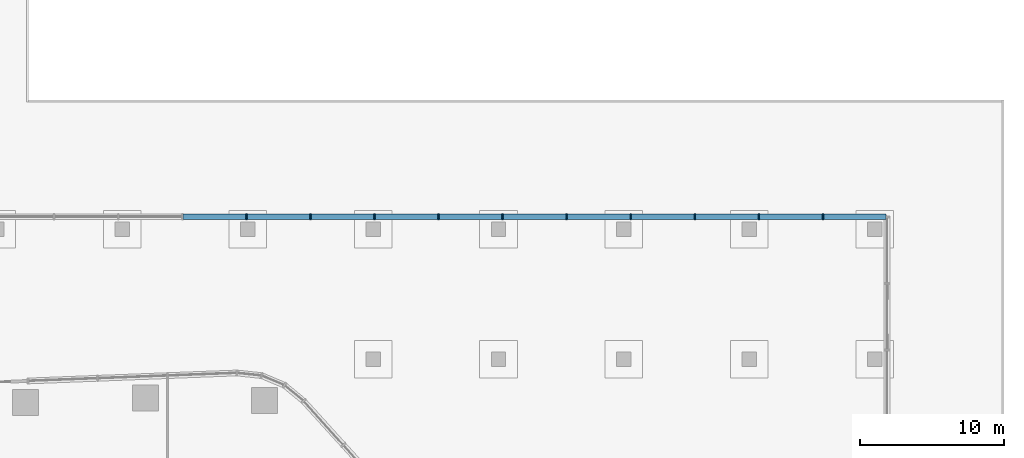
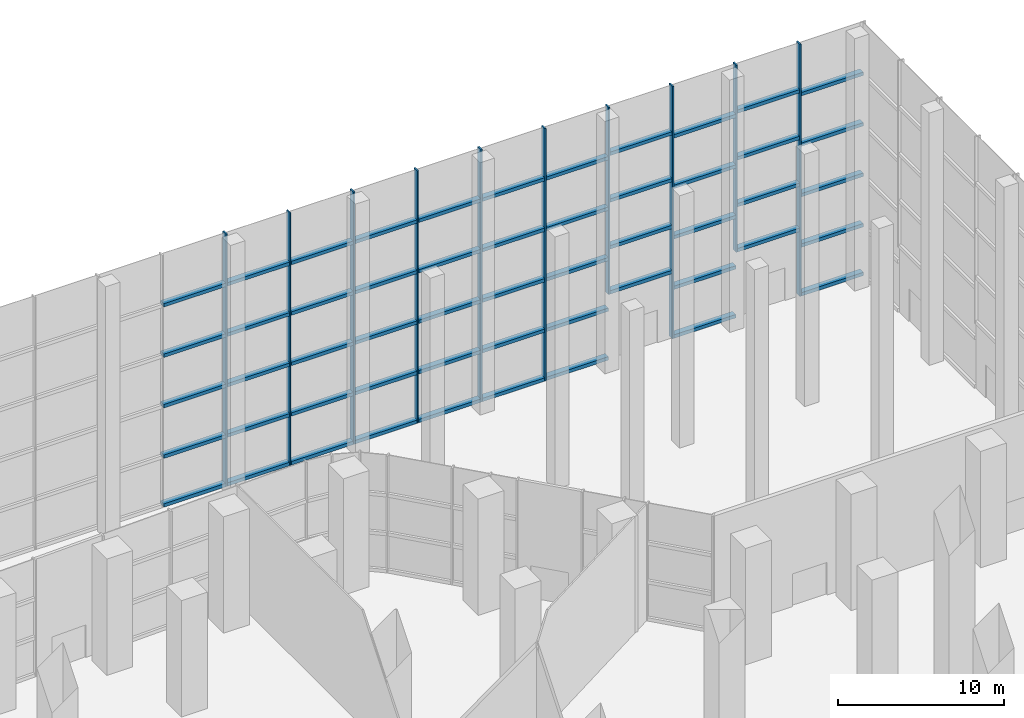
# One storey, part 18 of 40: 63 members, 5 elements without a shape of their own.
"""IFC4 building model written with IfcOpenShell, lengths in metres."""

from ifc_helpers import new_model, si_unit, direction, frame, origin, origin_2d, place, context, subcontext, project, spatial, rectangle, extrude, material, layer, layer_set, material_profile, profile_set, type_object, element, aggregate, save


model = new_model("IFC4")

# Units and contexts
model_context = context("Model", 3, precision=1e-05, world=origin(), true_north=direction((0.0, 1.0)))
body_context = subcontext(model_context, "Body", "Model", "MODEL_VIEW")
ifc_project = project(units=[si_unit("LENGTHUNIT", "METRE"), si_unit("AREAUNIT", "SQUARE_METRE"), si_unit("VOLUMEUNIT", "CUBIC_METRE"), si_unit("PLANEANGLEUNIT", "RADIAN"), si_unit("MASSUNIT", "GRAM", prefix="KILO")], contexts=[model_context])

# Site, building, storey
site_placement = place(None, origin())
site = spatial("IfcSite", under=ifc_project, at=site_placement, CompositionType="ELEMENT")
building_placement = place(site_placement, origin())
building = spatial("IfcBuilding", under=site, at=building_placement, Name="Dongbaek Canopy Tower", CompositionType="ELEMENT")
storey_placement = place(building_placement, origin())
storey = spatial("IfcBuildingStorey", under=building, at=storey_placement, Name="L00", CompositionType="ELEMENT", Elevation=0.0)

# Curtain wall, member
ifc_material_1 = material(Name="Aluminium 6063-T6 pale anodised", Category="aluminium")
ifc_layer = layer(ifc_material_1, 0.39990234375)
ifc_layer_set = layer_set([ifc_layer], Name="CW-3 lobby double-height curtain wall")
curtain_wall_type = type_object("IfcCurtainWallType", Name="CW-3 lobby double-height curtain wall", PredefinedType="NOTDEFINED", material=ifc_layer_set)
curtain_wall_1_placement = place(storey_placement, origin())
curtain_wall_1 = element("IfcCurtainWall", 1, at=curtain_wall_1_placement, inside=storey, type_object=curtain_wall_type, Name="CW-3 curtain wall HNN.1", PredefinedType="NOTDEFINED")
ifc_material_2 = material(Name="Aluminium 6063-T6 pale anodised", Category="aluminium")
ifc_material_profile_1 = material_profile(ifc_material_2, rectangle(XDim=0.39990234375, YDim=0.10009765625, at=origin_2d()), Name="CW-3 mullion 100 x 400")
ifc_profile_set_1 = profile_set([ifc_material_profile_1], Name="Aluminium 6063-T6 pale anodised")
member_type_1 = type_object("IfcMemberType", Name="CW-3 mullion 100 x 400", PredefinedType="MULLION", material=ifc_profile_set_1)
member_1_placement = place(storey_placement, frame((53.466552734375, 45.89990234375, 0.0), z_axis=(0.0, 0.0, 1.0), x_axis=(0.0, 1.0, 0.0)))
member_1 = element("IfcMember", 2, at=member_1_placement, type_object=member_type_1, Name="CW-3 mullion HNN.1.2", PredefinedType="MULLION", context=body_context, shape_type="SweptSolid", body=[
    extrude(rectangle(XDim=0.39990234375, YDim=0.10009765625, at=origin_2d()), origin(), (0.0, 0.0, 1.0), 18.550048828125),
])

curtain_wall_2_placement = place(storey_placement, origin())
curtain_wall_2 = element("IfcCurtainWall", 3, at=curtain_wall_2_placement, inside=storey, type_object=curtain_wall_type, Name="CW-3 curtain wall HNN.2U", PredefinedType="NOTDEFINED")
member_2_placement = place(storey_placement, frame((49.033447265625, 45.89990234375, 4.800048828125), z_axis=(0.0, 0.0, 1.0), x_axis=(0.0, 1.0, 0.0)))
member_2 = element("IfcMember", 4, at=member_2_placement, type_object=member_type_1, Name="CW-3 mullion HNN.2U.2", PredefinedType="MULLION", context=body_context, shape_type="SweptSolid", body=[
    extrude(rectangle(XDim=0.39990234375, YDim=0.10009765625, at=origin_2d()), origin(), (0.0, 0.0, 1.0), 13.75),
])

curtain_wall_3_placement = place(storey_placement, origin())
curtain_wall_3 = element("IfcCurtainWall", 5, at=curtain_wall_3_placement, inside=storey, type_object=curtain_wall_type, Name="CW-3 curtain wall HNN.2", PredefinedType="NOTDEFINED")
member_3_placement = place(storey_placement, frame((44.60009765625, 45.89990234375, 0.0), z_axis=(0.0, 0.0, 1.0), x_axis=(0.0, 1.0, 0.0)))
member_3 = element("IfcMember", 6, at=member_3_placement, type_object=member_type_1, Name="CW-3 mullion HNN.2.2", PredefinedType="MULLION", context=body_context, shape_type="SweptSolid", body=[
    extrude(rectangle(XDim=0.39990234375, YDim=0.10009765625, at=origin_2d()), origin(), (0.0, 0.0, 1.0), 18.550048828125),
])

curtain_wall_4_placement = place(storey_placement, origin())
curtain_wall_4 = element("IfcCurtainWall", 7, at=curtain_wall_4_placement, inside=storey, type_object=curtain_wall_type, Name="CW-3 curtain wall HNN.4U", PredefinedType="NOTDEFINED")
member_4_placement = place(storey_placement, frame((40.166748046875, 45.89990234375, 4.800048828125), z_axis=(0.0, 0.0, 1.0), x_axis=(0.0, 1.0, 0.0)))
member_4 = element("IfcMember", 8, at=member_4_placement, type_object=member_type_1, Name="CW-3 mullion HNN.4U.2", PredefinedType="MULLION", context=body_context, shape_type="SweptSolid", body=[
    extrude(rectangle(XDim=0.39990234375, YDim=0.10009765625, at=origin_2d()), origin(), (0.0, 0.0, 1.0), 13.75),
])

# Curtain wall, members
curtain_wall_5_placement = place(storey_placement, origin())
curtain_wall_5 = element("IfcCurtainWall", 9, at=curtain_wall_5_placement, inside=storey, type_object=curtain_wall_type, Name="CW-3 curtain wall HNN.3", PredefinedType="NOTDEFINED")
member_5_placement = place(storey_placement, frame((35.7333984375, 45.89990234375, 0.0), z_axis=(0.0, 0.0, 1.0), x_axis=(0.0, 1.0, 0.0)))
member_5 = element("IfcMember", 10, at=member_5_placement, type_object=member_type_1, Name="CW-3 mullion HNN.3.2", PredefinedType="MULLION", context=body_context, shape_type="SweptSolid", body=[
    extrude(rectangle(XDim=0.39990234375, YDim=0.10009765625, at=origin_2d()), origin(), (0.0, 0.0, 1.0), 18.550048828125),
])
member_6_placement = place(storey_placement, frame((31.300048828125, 45.89990234375, 0.0), z_axis=(0.0, 0.0, 1.0), x_axis=(0.0, 1.0, 0.0)))
member_6 = element("IfcMember", 11, at=member_6_placement, type_object=member_type_1, Name="CW-3 mullion HNN.3.3", PredefinedType="MULLION", context=body_context, shape_type="SweptSolid", body=[
    extrude(rectangle(XDim=0.39990234375, YDim=0.10009765625, at=origin_2d()), origin(), (0.0, 0.0, 1.0), 18.550048828125),
])
member_7_placement = place(storey_placement, frame((26.86669921875, 45.89990234375, 0.0), z_axis=(0.0, 0.0, 1.0), x_axis=(0.0, 1.0, 0.0)))
member_7 = element("IfcMember", 12, at=member_7_placement, type_object=member_type_1, Name="CW-3 mullion HNN.3.4", PredefinedType="MULLION", context=body_context, shape_type="SweptSolid", body=[
    extrude(rectangle(XDim=0.39990234375, YDim=0.10009765625, at=origin_2d()), origin(), (0.0, 0.0, 1.0), 18.550048828125),
])
member_8_placement = place(storey_placement, frame((22.433349609375, 45.89990234375, 0.0), z_axis=(0.0, 0.0, 1.0), x_axis=(0.0, 1.0, 0.0)))
member_8 = element("IfcMember", 13, at=member_8_placement, type_object=member_type_1, Name="CW-3 mullion HNN.3.5", PredefinedType="MULLION", context=body_context, shape_type="SweptSolid", body=[
    extrude(rectangle(XDim=0.39990234375, YDim=0.10009765625, at=origin_2d()), origin(), (0.0, 0.0, 1.0), 18.550048828125),
])
member_9_placement = place(storey_placement, frame((18.0, 45.89990234375, 0.0), z_axis=(0.0, 0.0, 1.0), x_axis=(0.0, 1.0, 0.0)))
member_9 = element("IfcMember", 14, at=member_9_placement, type_object=member_type_1, Name="CW-3 mullion HNN.3.6", PredefinedType="MULLION", context=body_context, shape_type="SweptSolid", body=[
    extrude(rectangle(XDim=0.39990234375, YDim=0.10009765625, at=origin_2d()), origin(), (0.0, 0.0, 1.0), 18.550048828125),
])
member_10_placement = place(storey_placement, frame((13.566650390625, 45.89990234375, 0.0), z_axis=(0.0, 0.0, 1.0), x_axis=(0.0, 1.0, 0.0)))
member_10 = element("IfcMember", 15, at=member_10_placement, type_object=member_type_1, Name="CW-3 mullion HNN.3.7", PredefinedType="MULLION", context=body_context, shape_type="SweptSolid", body=[
    extrude(rectangle(XDim=0.39990234375, YDim=0.10009765625, at=origin_2d()), origin(), (0.0, 0.0, 1.0), 18.550048828125),
])

# Member
ifc_material_3 = material(Name="Aluminium 6063-T6 pale anodised", Category="aluminium")
ifc_material_profile_2 = material_profile(ifc_material_3, rectangle(XDim=0.39990234375, YDim=0.25, at=origin_2d()), Name="CW-3 transom 250 x 400")
ifc_profile_set_2 = profile_set([ifc_material_profile_2], Name="Aluminium 6063-T6 pale anodised")
member_type_2 = type_object("IfcMemberType", Name="CW-3 transom 250 x 400", PredefinedType="USERDEFINED", material=ifc_profile_set_2)
member_11_placement = place(storey_placement, frame((57.837890625, 45.89990234375, 0.125), z_axis=(-1.0, 0.0, 0.0), x_axis=(0.0, -1.0, 0.0)))
member_11 = element("IfcMember", 16, at=member_11_placement, type_object=member_type_2, Name="CW-3 transom HNN.1.1.1", ObjectType="TRANSOM", PredefinedType="USERDEFINED", context=body_context, shape_type="SweptSolid", body=[
    extrude(rectangle(XDim=0.39990234375, YDim=0.25, at=origin_2d()), origin(), (0.0, 0.0, 1.0), 4.309326171875),
])

member_12_placement = place(storey_placement, frame((57.837890625, 45.89990234375, 3.7099609375), z_axis=(-1.0, 0.0, 0.0), x_axis=(0.0, -1.0, 0.0)))
member_12 = element("IfcMember", 17, at=member_12_placement, type_object=member_type_2, Name="CW-3 transom HNN.1.1.2", ObjectType="TRANSOM", PredefinedType="USERDEFINED", context=body_context, shape_type="SweptSolid", body=[
    extrude(rectangle(XDim=0.39990234375, YDim=0.25, at=origin_2d()), origin(), (0.0, 0.0, 1.0), 4.309326171875),
])

member_13_placement = place(storey_placement, frame((57.837890625, 45.89990234375, 7.419921875), z_axis=(-1.0, 0.0, 0.0), x_axis=(0.0, -1.0, 0.0)))
member_13 = element("IfcMember", 18, at=member_13_placement, type_object=member_type_2, Name="CW-3 transom HNN.1.1.3", ObjectType="TRANSOM", PredefinedType="USERDEFINED", context=body_context, shape_type="SweptSolid", body=[
    extrude(rectangle(XDim=0.39990234375, YDim=0.25, at=origin_2d()), origin(), (0.0, 0.0, 1.0), 4.309326171875),
])

member_14_placement = place(storey_placement, frame((57.837890625, 45.89990234375, 11.1298828125), z_axis=(-1.0, 0.0, 0.0), x_axis=(0.0, -1.0, 0.0)))
member_14 = element("IfcMember", 19, at=member_14_placement, type_object=member_type_2, Name="CW-3 transom HNN.1.1.4", ObjectType="TRANSOM", PredefinedType="USERDEFINED", context=body_context, shape_type="SweptSolid", body=[
    extrude(rectangle(XDim=0.39990234375, YDim=0.25, at=origin_2d()), origin(), (0.0, 0.0, 1.0), 4.309326171875),
])

member_15_placement = place(storey_placement, frame((57.837890625, 45.89990234375, 14.840087890625), z_axis=(-1.0, 0.0, 0.0), x_axis=(0.0, -1.0, 0.0)))
member_15 = element("IfcMember", 20, at=member_15_placement, type_object=member_type_2, Name="CW-3 transom HNN.1.1.5", ObjectType="TRANSOM", PredefinedType="USERDEFINED", context=body_context, shape_type="SweptSolid", body=[
    extrude(rectangle(XDim=0.39990234375, YDim=0.25, at=origin_2d()), origin(), (0.0, 0.0, 1.0), 4.309326171875),
])

aggregate(curtain_wall_1, [member_1, member_11, member_12, member_13, member_14, member_15])

member_16_placement = place(storey_placement, frame((53.40478515625, 45.89990234375, 4.925048828125), z_axis=(-1.0, 0.0, 0.0), x_axis=(0.0, -1.0, 0.0)))
member_16 = element("IfcMember", 21, at=member_16_placement, type_object=member_type_2, Name="CW-3 transom HNN.2U.1.1", ObjectType="TRANSOM", PredefinedType="USERDEFINED", context=body_context, shape_type="SweptSolid", body=[
    extrude(rectangle(XDim=0.39990234375, YDim=0.25, at=origin_2d()), origin(), (0.0, 0.0, 1.0), 4.3095703125),
])

member_17_placement = place(storey_placement, frame((53.40478515625, 45.89990234375, 8.237548828125), z_axis=(-1.0, 0.0, 0.0), x_axis=(0.0, -1.0, 0.0)))
member_17 = element("IfcMember", 22, at=member_17_placement, type_object=member_type_2, Name="CW-3 transom HNN.2U.1.2", ObjectType="TRANSOM", PredefinedType="USERDEFINED", context=body_context, shape_type="SweptSolid", body=[
    extrude(rectangle(XDim=0.39990234375, YDim=0.25, at=origin_2d()), origin(), (0.0, 0.0, 1.0), 4.3095703125),
])

member_18_placement = place(storey_placement, frame((53.40478515625, 45.89990234375, 11.675048828125), z_axis=(-1.0, 0.0, 0.0), x_axis=(0.0, -1.0, 0.0)))
member_18 = element("IfcMember", 23, at=member_18_placement, type_object=member_type_2, Name="CW-3 transom HNN.2U.1.3", ObjectType="TRANSOM", PredefinedType="USERDEFINED", context=body_context, shape_type="SweptSolid", body=[
    extrude(rectangle(XDim=0.39990234375, YDim=0.25, at=origin_2d()), origin(), (0.0, 0.0, 1.0), 4.3095703125),
])

member_19_placement = place(storey_placement, frame((53.40478515625, 45.89990234375, 15.112548828125), z_axis=(-1.0, 0.0, 0.0), x_axis=(0.0, -1.0, 0.0)))
member_19 = element("IfcMember", 24, at=member_19_placement, type_object=member_type_2, Name="CW-3 transom HNN.2U.1.4", ObjectType="TRANSOM", PredefinedType="USERDEFINED", context=body_context, shape_type="SweptSolid", body=[
    extrude(rectangle(XDim=0.39990234375, YDim=0.25, at=origin_2d()), origin(), (0.0, 0.0, 1.0), 4.3095703125),
])

aggregate(curtain_wall_2, [member_2, member_16, member_17, member_18, member_19])

member_20_placement = place(storey_placement, frame((48.971435546875, 45.89990234375, 0.125), z_axis=(-1.0, 0.0, 0.0), x_axis=(0.0, -1.0, 0.0)))
member_20 = element("IfcMember", 25, at=member_20_placement, type_object=member_type_2, Name="CW-3 transom HNN.2.1.1", ObjectType="TRANSOM", PredefinedType="USERDEFINED", context=body_context, shape_type="SweptSolid", body=[
    extrude(rectangle(XDim=0.39990234375, YDim=0.25, at=origin_2d()), origin(), (0.0, 0.0, 1.0), 4.309326171875),
])

member_21_placement = place(storey_placement, frame((48.971435546875, 45.89990234375, 3.7099609375), z_axis=(-1.0, 0.0, 0.0), x_axis=(0.0, -1.0, 0.0)))
member_21 = element("IfcMember", 26, at=member_21_placement, type_object=member_type_2, Name="CW-3 transom HNN.2.1.2", ObjectType="TRANSOM", PredefinedType="USERDEFINED", context=body_context, shape_type="SweptSolid", body=[
    extrude(rectangle(XDim=0.39990234375, YDim=0.25, at=origin_2d()), origin(), (0.0, 0.0, 1.0), 4.309326171875),
])

member_22_placement = place(storey_placement, frame((48.971435546875, 45.89990234375, 7.419921875), z_axis=(-1.0, 0.0, 0.0), x_axis=(0.0, -1.0, 0.0)))
member_22 = element("IfcMember", 27, at=member_22_placement, type_object=member_type_2, Name="CW-3 transom HNN.2.1.3", ObjectType="TRANSOM", PredefinedType="USERDEFINED", context=body_context, shape_type="SweptSolid", body=[
    extrude(rectangle(XDim=0.39990234375, YDim=0.25, at=origin_2d()), origin(), (0.0, 0.0, 1.0), 4.309326171875),
])

member_23_placement = place(storey_placement, frame((48.971435546875, 45.89990234375, 11.1298828125), z_axis=(-1.0, 0.0, 0.0), x_axis=(0.0, -1.0, 0.0)))
member_23 = element("IfcMember", 28, at=member_23_placement, type_object=member_type_2, Name="CW-3 transom HNN.2.1.4", ObjectType="TRANSOM", PredefinedType="USERDEFINED", context=body_context, shape_type="SweptSolid", body=[
    extrude(rectangle(XDim=0.39990234375, YDim=0.25, at=origin_2d()), origin(), (0.0, 0.0, 1.0), 4.309326171875),
])

member_24_placement = place(storey_placement, frame((48.971435546875, 45.89990234375, 14.840087890625), z_axis=(-1.0, 0.0, 0.0), x_axis=(0.0, -1.0, 0.0)))
member_24 = element("IfcMember", 29, at=member_24_placement, type_object=member_type_2, Name="CW-3 transom HNN.2.1.5", ObjectType="TRANSOM", PredefinedType="USERDEFINED", context=body_context, shape_type="SweptSolid", body=[
    extrude(rectangle(XDim=0.39990234375, YDim=0.25, at=origin_2d()), origin(), (0.0, 0.0, 1.0), 4.309326171875),
])

aggregate(curtain_wall_3, [member_3, member_20, member_21, member_22, member_23, member_24])

member_25_placement = place(storey_placement, frame((44.5380859375, 45.89990234375, 4.925048828125), z_axis=(-1.0, 0.0, 0.0), x_axis=(0.0, -1.0, 0.0)))
member_25 = element("IfcMember", 30, at=member_25_placement, type_object=member_type_2, Name="CW-3 transom HNN.4U.1.1", ObjectType="TRANSOM", PredefinedType="USERDEFINED", context=body_context, shape_type="SweptSolid", body=[
    extrude(rectangle(XDim=0.39990234375, YDim=0.25, at=origin_2d()), origin(), (0.0, 0.0, 1.0), 4.309326171875),
])

member_26_placement = place(storey_placement, frame((44.5380859375, 45.89990234375, 8.237548828125), z_axis=(-1.0, 0.0, 0.0), x_axis=(0.0, -1.0, 0.0)))
member_26 = element("IfcMember", 31, at=member_26_placement, type_object=member_type_2, Name="CW-3 transom HNN.4U.1.2", ObjectType="TRANSOM", PredefinedType="USERDEFINED", context=body_context, shape_type="SweptSolid", body=[
    extrude(rectangle(XDim=0.39990234375, YDim=0.25, at=origin_2d()), origin(), (0.0, 0.0, 1.0), 4.309326171875),
])

member_27_placement = place(storey_placement, frame((44.5380859375, 45.89990234375, 11.675048828125), z_axis=(-1.0, 0.0, 0.0), x_axis=(0.0, -1.0, 0.0)))
member_27 = element("IfcMember", 32, at=member_27_placement, type_object=member_type_2, Name="CW-3 transom HNN.4U.1.3", ObjectType="TRANSOM", PredefinedType="USERDEFINED", context=body_context, shape_type="SweptSolid", body=[
    extrude(rectangle(XDim=0.39990234375, YDim=0.25, at=origin_2d()), origin(), (0.0, 0.0, 1.0), 4.309326171875),
])

member_28_placement = place(storey_placement, frame((44.5380859375, 45.89990234375, 15.112548828125), z_axis=(-1.0, 0.0, 0.0), x_axis=(0.0, -1.0, 0.0)))
member_28 = element("IfcMember", 33, at=member_28_placement, type_object=member_type_2, Name="CW-3 transom HNN.4U.1.4", ObjectType="TRANSOM", PredefinedType="USERDEFINED", context=body_context, shape_type="SweptSolid", body=[
    extrude(rectangle(XDim=0.39990234375, YDim=0.25, at=origin_2d()), origin(), (0.0, 0.0, 1.0), 4.309326171875),
])

aggregate(curtain_wall_4, [member_4, member_25, member_26, member_27, member_28])

member_29_placement = place(storey_placement, frame((40.104736328125, 45.89990234375, 0.125), z_axis=(-1.0, 0.0, 0.0), x_axis=(0.0, -1.0, 0.0)))
member_29 = element("IfcMember", 34, at=member_29_placement, type_object=member_type_2, Name="CW-3 transom HNN.3.1.1", ObjectType="TRANSOM", PredefinedType="USERDEFINED", context=body_context, shape_type="SweptSolid", body=[
    extrude(rectangle(XDim=0.39990234375, YDim=0.25, at=origin_2d()), origin(), (0.0, 0.0, 1.0), 4.309326171875),
])

member_30_placement = place(storey_placement, frame((40.104736328125, 45.89990234375, 3.7099609375), z_axis=(-1.0, 0.0, 0.0), x_axis=(0.0, -1.0, 0.0)))
member_30 = element("IfcMember", 35, at=member_30_placement, type_object=member_type_2, Name="CW-3 transom HNN.3.1.2", ObjectType="TRANSOM", PredefinedType="USERDEFINED", context=body_context, shape_type="SweptSolid", body=[
    extrude(rectangle(XDim=0.39990234375, YDim=0.25, at=origin_2d()), origin(), (0.0, 0.0, 1.0), 4.309326171875),
])

member_31_placement = place(storey_placement, frame((40.104736328125, 45.89990234375, 7.419921875), z_axis=(-1.0, 0.0, 0.0), x_axis=(0.0, -1.0, 0.0)))
member_31 = element("IfcMember", 36, at=member_31_placement, type_object=member_type_2, Name="CW-3 transom HNN.3.1.3", ObjectType="TRANSOM", PredefinedType="USERDEFINED", context=body_context, shape_type="SweptSolid", body=[
    extrude(rectangle(XDim=0.39990234375, YDim=0.25, at=origin_2d()), origin(), (0.0, 0.0, 1.0), 4.309326171875),
])

member_32_placement = place(storey_placement, frame((40.104736328125, 45.89990234375, 11.1298828125), z_axis=(-1.0, 0.0, 0.0), x_axis=(0.0, -1.0, 0.0)))
member_32 = element("IfcMember", 37, at=member_32_placement, type_object=member_type_2, Name="CW-3 transom HNN.3.1.4", ObjectType="TRANSOM", PredefinedType="USERDEFINED", context=body_context, shape_type="SweptSolid", body=[
    extrude(rectangle(XDim=0.39990234375, YDim=0.25, at=origin_2d()), origin(), (0.0, 0.0, 1.0), 4.309326171875),
])

member_33_placement = place(storey_placement, frame((40.104736328125, 45.89990234375, 14.840087890625), z_axis=(-1.0, 0.0, 0.0), x_axis=(0.0, -1.0, 0.0)))
member_33 = element("IfcMember", 38, at=member_33_placement, type_object=member_type_2, Name="CW-3 transom HNN.3.1.5", ObjectType="TRANSOM", PredefinedType="USERDEFINED", context=body_context, shape_type="SweptSolid", body=[
    extrude(rectangle(XDim=0.39990234375, YDim=0.25, at=origin_2d()), origin(), (0.0, 0.0, 1.0), 4.309326171875),
])

member_34_placement = place(storey_placement, frame((35.67138671875, 45.89990234375, 0.125), z_axis=(-1.0, 0.0, 0.0), x_axis=(0.0, -1.0, 0.0)))
member_34 = element("IfcMember", 39, at=member_34_placement, type_object=member_type_2, Name="CW-3 transom HNN.3.2.1", ObjectType="TRANSOM", PredefinedType="USERDEFINED", context=body_context, shape_type="SweptSolid", body=[
    extrude(rectangle(XDim=0.39990234375, YDim=0.25, at=origin_2d()), origin(), (0.0, 0.0, 1.0), 4.309326171875),
])

member_35_placement = place(storey_placement, frame((35.67138671875, 45.89990234375, 3.7099609375), z_axis=(-1.0, 0.0, 0.0), x_axis=(0.0, -1.0, 0.0)))
member_35 = element("IfcMember", 40, at=member_35_placement, type_object=member_type_2, Name="CW-3 transom HNN.3.2.2", ObjectType="TRANSOM", PredefinedType="USERDEFINED", context=body_context, shape_type="SweptSolid", body=[
    extrude(rectangle(XDim=0.39990234375, YDim=0.25, at=origin_2d()), origin(), (0.0, 0.0, 1.0), 4.309326171875),
])

member_36_placement = place(storey_placement, frame((35.67138671875, 45.89990234375, 7.419921875), z_axis=(-1.0, 0.0, 0.0), x_axis=(0.0, -1.0, 0.0)))
member_36 = element("IfcMember", 41, at=member_36_placement, type_object=member_type_2, Name="CW-3 transom HNN.3.2.3", ObjectType="TRANSOM", PredefinedType="USERDEFINED", context=body_context, shape_type="SweptSolid", body=[
    extrude(rectangle(XDim=0.39990234375, YDim=0.25, at=origin_2d()), origin(), (0.0, 0.0, 1.0), 4.309326171875),
])

member_37_placement = place(storey_placement, frame((35.67138671875, 45.89990234375, 11.1298828125), z_axis=(-1.0, 0.0, 0.0), x_axis=(0.0, -1.0, 0.0)))
member_37 = element("IfcMember", 42, at=member_37_placement, type_object=member_type_2, Name="CW-3 transom HNN.3.2.4", ObjectType="TRANSOM", PredefinedType="USERDEFINED", context=body_context, shape_type="SweptSolid", body=[
    extrude(rectangle(XDim=0.39990234375, YDim=0.25, at=origin_2d()), origin(), (0.0, 0.0, 1.0), 4.309326171875),
])

member_38_placement = place(storey_placement, frame((35.67138671875, 45.89990234375, 14.840087890625), z_axis=(-1.0, 0.0, 0.0), x_axis=(0.0, -1.0, 0.0)))
member_38 = element("IfcMember", 43, at=member_38_placement, type_object=member_type_2, Name="CW-3 transom HNN.3.2.5", ObjectType="TRANSOM", PredefinedType="USERDEFINED", context=body_context, shape_type="SweptSolid", body=[
    extrude(rectangle(XDim=0.39990234375, YDim=0.25, at=origin_2d()), origin(), (0.0, 0.0, 1.0), 4.309326171875),
])

member_39_placement = place(storey_placement, frame((31.238037109375, 45.89990234375, 0.125), z_axis=(-1.0, 0.0, 0.0), x_axis=(0.0, -1.0, 0.0)))
member_39 = element("IfcMember", 44, at=member_39_placement, type_object=member_type_2, Name="CW-3 transom HNN.3.3.1", ObjectType="TRANSOM", PredefinedType="USERDEFINED", context=body_context, shape_type="SweptSolid", body=[
    extrude(rectangle(XDim=0.39990234375, YDim=0.25, at=origin_2d()), origin(), (0.0, 0.0, 1.0), 4.309326171875),
])

member_40_placement = place(storey_placement, frame((31.238037109375, 45.89990234375, 3.7099609375), z_axis=(-1.0, 0.0, 0.0), x_axis=(0.0, -1.0, 0.0)))
member_40 = element("IfcMember", 45, at=member_40_placement, type_object=member_type_2, Name="CW-3 transom HNN.3.3.2", ObjectType="TRANSOM", PredefinedType="USERDEFINED", context=body_context, shape_type="SweptSolid", body=[
    extrude(rectangle(XDim=0.39990234375, YDim=0.25, at=origin_2d()), origin(), (0.0, 0.0, 1.0), 4.309326171875),
])

member_41_placement = place(storey_placement, frame((31.238037109375, 45.89990234375, 7.419921875), z_axis=(-1.0, 0.0, 0.0), x_axis=(0.0, -1.0, 0.0)))
member_41 = element("IfcMember", 46, at=member_41_placement, type_object=member_type_2, Name="CW-3 transom HNN.3.3.3", ObjectType="TRANSOM", PredefinedType="USERDEFINED", context=body_context, shape_type="SweptSolid", body=[
    extrude(rectangle(XDim=0.39990234375, YDim=0.25, at=origin_2d()), origin(), (0.0, 0.0, 1.0), 4.309326171875),
])

member_42_placement = place(storey_placement, frame((31.238037109375, 45.89990234375, 11.1298828125), z_axis=(-1.0, 0.0, 0.0), x_axis=(0.0, -1.0, 0.0)))
member_42 = element("IfcMember", 47, at=member_42_placement, type_object=member_type_2, Name="CW-3 transom HNN.3.3.4", ObjectType="TRANSOM", PredefinedType="USERDEFINED", context=body_context, shape_type="SweptSolid", body=[
    extrude(rectangle(XDim=0.39990234375, YDim=0.25, at=origin_2d()), origin(), (0.0, 0.0, 1.0), 4.309326171875),
])

member_43_placement = place(storey_placement, frame((31.238037109375, 45.89990234375, 14.840087890625), z_axis=(-1.0, 0.0, 0.0), x_axis=(0.0, -1.0, 0.0)))
member_43 = element("IfcMember", 48, at=member_43_placement, type_object=member_type_2, Name="CW-3 transom HNN.3.3.5", ObjectType="TRANSOM", PredefinedType="USERDEFINED", context=body_context, shape_type="SweptSolid", body=[
    extrude(rectangle(XDim=0.39990234375, YDim=0.25, at=origin_2d()), origin(), (0.0, 0.0, 1.0), 4.309326171875),
])

member_44_placement = place(storey_placement, frame((26.8046875, 45.89990234375, 0.125), z_axis=(-1.0, 0.0, 0.0), x_axis=(0.0, -1.0, 0.0)))
member_44 = element("IfcMember", 49, at=member_44_placement, type_object=member_type_2, Name="CW-3 transom HNN.3.4.1", ObjectType="TRANSOM", PredefinedType="USERDEFINED", context=body_context, shape_type="SweptSolid", body=[
    extrude(rectangle(XDim=0.39990234375, YDim=0.25, at=origin_2d()), origin(), (0.0, 0.0, 1.0), 4.309326171875),
])

member_45_placement = place(storey_placement, frame((26.8046875, 45.89990234375, 3.7099609375), z_axis=(-1.0, 0.0, 0.0), x_axis=(0.0, -1.0, 0.0)))
member_45 = element("IfcMember", 50, at=member_45_placement, type_object=member_type_2, Name="CW-3 transom HNN.3.4.2", ObjectType="TRANSOM", PredefinedType="USERDEFINED", context=body_context, shape_type="SweptSolid", body=[
    extrude(rectangle(XDim=0.39990234375, YDim=0.25, at=origin_2d()), origin(), (0.0, 0.0, 1.0), 4.309326171875),
])

member_46_placement = place(storey_placement, frame((26.8046875, 45.89990234375, 7.419921875), z_axis=(-1.0, 0.0, 0.0), x_axis=(0.0, -1.0, 0.0)))
member_46 = element("IfcMember", 51, at=member_46_placement, type_object=member_type_2, Name="CW-3 transom HNN.3.4.3", ObjectType="TRANSOM", PredefinedType="USERDEFINED", context=body_context, shape_type="SweptSolid", body=[
    extrude(rectangle(XDim=0.39990234375, YDim=0.25, at=origin_2d()), origin(), (0.0, 0.0, 1.0), 4.309326171875),
])

member_47_placement = place(storey_placement, frame((26.8046875, 45.89990234375, 11.1298828125), z_axis=(-1.0, 0.0, 0.0), x_axis=(0.0, -1.0, 0.0)))
member_47 = element("IfcMember", 52, at=member_47_placement, type_object=member_type_2, Name="CW-3 transom HNN.3.4.4", ObjectType="TRANSOM", PredefinedType="USERDEFINED", context=body_context, shape_type="SweptSolid", body=[
    extrude(rectangle(XDim=0.39990234375, YDim=0.25, at=origin_2d()), origin(), (0.0, 0.0, 1.0), 4.309326171875),
])

member_48_placement = place(storey_placement, frame((26.8046875, 45.89990234375, 14.840087890625), z_axis=(-1.0, 0.0, 0.0), x_axis=(0.0, -1.0, 0.0)))
member_48 = element("IfcMember", 53, at=member_48_placement, type_object=member_type_2, Name="CW-3 transom HNN.3.4.5", ObjectType="TRANSOM", PredefinedType="USERDEFINED", context=body_context, shape_type="SweptSolid", body=[
    extrude(rectangle(XDim=0.39990234375, YDim=0.25, at=origin_2d()), origin(), (0.0, 0.0, 1.0), 4.309326171875),
])

member_49_placement = place(storey_placement, frame((22.371337890625, 45.89990234375, 0.125), z_axis=(-1.0, 0.0, 0.0), x_axis=(0.0, -1.0, 0.0)))
member_49 = element("IfcMember", 54, at=member_49_placement, type_object=member_type_2, Name="CW-3 transom HNN.3.5.1", ObjectType="TRANSOM", PredefinedType="USERDEFINED", context=body_context, shape_type="SweptSolid", body=[
    extrude(rectangle(XDim=0.39990234375, YDim=0.25, at=origin_2d()), origin(), (0.0, 0.0, 1.0), 4.309326171875),
])

member_50_placement = place(storey_placement, frame((22.371337890625, 45.89990234375, 3.7099609375), z_axis=(-1.0, 0.0, 0.0), x_axis=(0.0, -1.0, 0.0)))
member_50 = element("IfcMember", 55, at=member_50_placement, type_object=member_type_2, Name="CW-3 transom HNN.3.5.2", ObjectType="TRANSOM", PredefinedType="USERDEFINED", context=body_context, shape_type="SweptSolid", body=[
    extrude(rectangle(XDim=0.39990234375, YDim=0.25, at=origin_2d()), origin(), (0.0, 0.0, 1.0), 4.309326171875),
])

member_51_placement = place(storey_placement, frame((22.371337890625, 45.89990234375, 7.419921875), z_axis=(-1.0, 0.0, 0.0), x_axis=(0.0, -1.0, 0.0)))
member_51 = element("IfcMember", 56, at=member_51_placement, type_object=member_type_2, Name="CW-3 transom HNN.3.5.3", ObjectType="TRANSOM", PredefinedType="USERDEFINED", context=body_context, shape_type="SweptSolid", body=[
    extrude(rectangle(XDim=0.39990234375, YDim=0.25, at=origin_2d()), origin(), (0.0, 0.0, 1.0), 4.309326171875),
])

member_52_placement = place(storey_placement, frame((22.371337890625, 45.89990234375, 11.1298828125), z_axis=(-1.0, 0.0, 0.0), x_axis=(0.0, -1.0, 0.0)))
member_52 = element("IfcMember", 57, at=member_52_placement, type_object=member_type_2, Name="CW-3 transom HNN.3.5.4", ObjectType="TRANSOM", PredefinedType="USERDEFINED", context=body_context, shape_type="SweptSolid", body=[
    extrude(rectangle(XDim=0.39990234375, YDim=0.25, at=origin_2d()), origin(), (0.0, 0.0, 1.0), 4.309326171875),
])

member_53_placement = place(storey_placement, frame((22.371337890625, 45.89990234375, 14.840087890625), z_axis=(-1.0, 0.0, 0.0), x_axis=(0.0, -1.0, 0.0)))
member_53 = element("IfcMember", 58, at=member_53_placement, type_object=member_type_2, Name="CW-3 transom HNN.3.5.5", ObjectType="TRANSOM", PredefinedType="USERDEFINED", context=body_context, shape_type="SweptSolid", body=[
    extrude(rectangle(XDim=0.39990234375, YDim=0.25, at=origin_2d()), origin(), (0.0, 0.0, 1.0), 4.309326171875),
])

member_54_placement = place(storey_placement, frame((17.93798828125, 45.89990234375, 0.125), z_axis=(-1.0, 0.0, 0.0), x_axis=(0.0, -1.0, 0.0)))
member_54 = element("IfcMember", 59, at=member_54_placement, type_object=member_type_2, Name="CW-3 transom HNN.3.6.1", ObjectType="TRANSOM", PredefinedType="USERDEFINED", context=body_context, shape_type="SweptSolid", body=[
    extrude(rectangle(XDim=0.39990234375, YDim=0.25, at=origin_2d()), origin(), (0.0, 0.0, 1.0), 4.309326171875),
])

member_55_placement = place(storey_placement, frame((17.93798828125, 45.89990234375, 3.7099609375), z_axis=(-1.0, 0.0, 0.0), x_axis=(0.0, -1.0, 0.0)))
member_55 = element("IfcMember", 60, at=member_55_placement, type_object=member_type_2, Name="CW-3 transom HNN.3.6.2", ObjectType="TRANSOM", PredefinedType="USERDEFINED", context=body_context, shape_type="SweptSolid", body=[
    extrude(rectangle(XDim=0.39990234375, YDim=0.25, at=origin_2d()), origin(), (0.0, 0.0, 1.0), 4.309326171875),
])

member_56_placement = place(storey_placement, frame((17.93798828125, 45.89990234375, 7.419921875), z_axis=(-1.0, 0.0, 0.0), x_axis=(0.0, -1.0, 0.0)))
member_56 = element("IfcMember", 61, at=member_56_placement, type_object=member_type_2, Name="CW-3 transom HNN.3.6.3", ObjectType="TRANSOM", PredefinedType="USERDEFINED", context=body_context, shape_type="SweptSolid", body=[
    extrude(rectangle(XDim=0.39990234375, YDim=0.25, at=origin_2d()), origin(), (0.0, 0.0, 1.0), 4.309326171875),
])

member_57_placement = place(storey_placement, frame((17.93798828125, 45.89990234375, 11.1298828125), z_axis=(-1.0, 0.0, 0.0), x_axis=(0.0, -1.0, 0.0)))
member_57 = element("IfcMember", 62, at=member_57_placement, type_object=member_type_2, Name="CW-3 transom HNN.3.6.4", ObjectType="TRANSOM", PredefinedType="USERDEFINED", context=body_context, shape_type="SweptSolid", body=[
    extrude(rectangle(XDim=0.39990234375, YDim=0.25, at=origin_2d()), origin(), (0.0, 0.0, 1.0), 4.309326171875),
])

member_58_placement = place(storey_placement, frame((17.93798828125, 45.89990234375, 14.840087890625), z_axis=(-1.0, 0.0, 0.0), x_axis=(0.0, -1.0, 0.0)))
member_58 = element("IfcMember", 63, at=member_58_placement, type_object=member_type_2, Name="CW-3 transom HNN.3.6.5", ObjectType="TRANSOM", PredefinedType="USERDEFINED", context=body_context, shape_type="SweptSolid", body=[
    extrude(rectangle(XDim=0.39990234375, YDim=0.25, at=origin_2d()), origin(), (0.0, 0.0, 1.0), 4.309326171875),
])

member_59_placement = place(storey_placement, frame((13.504638671875, 45.89990234375, 0.125), z_axis=(-1.0, 0.0, 0.0), x_axis=(0.0, -1.0, 0.0)))
member_59 = element("IfcMember", 64, at=member_59_placement, type_object=member_type_2, Name="CW-3 transom HNN.3.7.1", ObjectType="TRANSOM", PredefinedType="USERDEFINED", context=body_context, shape_type="SweptSolid", body=[
    extrude(rectangle(XDim=0.39990234375, YDim=0.25, at=origin_2d()), origin(), (0.0, 0.0, 1.0), 4.309326171875),
])

member_60_placement = place(storey_placement, frame((13.504638671875, 45.89990234375, 3.7099609375), z_axis=(-1.0, 0.0, 0.0), x_axis=(0.0, -1.0, 0.0)))
member_60 = element("IfcMember", 65, at=member_60_placement, type_object=member_type_2, Name="CW-3 transom HNN.3.7.2", ObjectType="TRANSOM", PredefinedType="USERDEFINED", context=body_context, shape_type="SweptSolid", body=[
    extrude(rectangle(XDim=0.39990234375, YDim=0.25, at=origin_2d()), origin(), (0.0, 0.0, 1.0), 4.309326171875),
])

member_61_placement = place(storey_placement, frame((13.504638671875, 45.89990234375, 7.419921875), z_axis=(-1.0, 0.0, 0.0), x_axis=(0.0, -1.0, 0.0)))
member_61 = element("IfcMember", 66, at=member_61_placement, type_object=member_type_2, Name="CW-3 transom HNN.3.7.3", ObjectType="TRANSOM", PredefinedType="USERDEFINED", context=body_context, shape_type="SweptSolid", body=[
    extrude(rectangle(XDim=0.39990234375, YDim=0.25, at=origin_2d()), origin(), (0.0, 0.0, 1.0), 4.309326171875),
])

member_62_placement = place(storey_placement, frame((13.504638671875, 45.89990234375, 11.1298828125), z_axis=(-1.0, 0.0, 0.0), x_axis=(0.0, -1.0, 0.0)))
member_62 = element("IfcMember", 67, at=member_62_placement, type_object=member_type_2, Name="CW-3 transom HNN.3.7.4", ObjectType="TRANSOM", PredefinedType="USERDEFINED", context=body_context, shape_type="SweptSolid", body=[
    extrude(rectangle(XDim=0.39990234375, YDim=0.25, at=origin_2d()), origin(), (0.0, 0.0, 1.0), 4.309326171875),
])

member_63_placement = place(storey_placement, frame((13.504638671875, 45.89990234375, 14.840087890625), z_axis=(-1.0, 0.0, 0.0), x_axis=(0.0, -1.0, 0.0)))
member_63 = element("IfcMember", 68, at=member_63_placement, type_object=member_type_2, Name="CW-3 transom HNN.3.7.5", ObjectType="TRANSOM", PredefinedType="USERDEFINED", context=body_context, shape_type="SweptSolid", body=[
    extrude(rectangle(XDim=0.39990234375, YDim=0.25, at=origin_2d()), origin(), (0.0, 0.0, 1.0), 4.309326171875),
])

aggregate(curtain_wall_5, [member_5, member_6, member_7, member_8, member_9, member_10, member_29, member_30, member_31, member_32, member_33, member_34, member_35, member_36, member_37, member_38, member_39, member_40, member_41, member_42, member_43, member_44, member_45, member_46, member_47, member_48, member_49, member_50, member_51, member_52, member_53, member_54, member_55, member_56, member_57, member_58, member_59, member_60, member_61, member_62, member_63])

save(model, "model.ifc")
